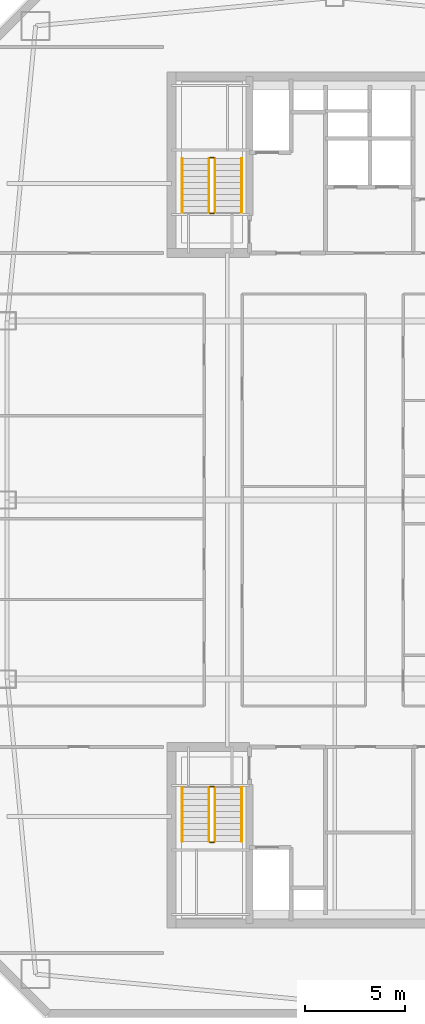
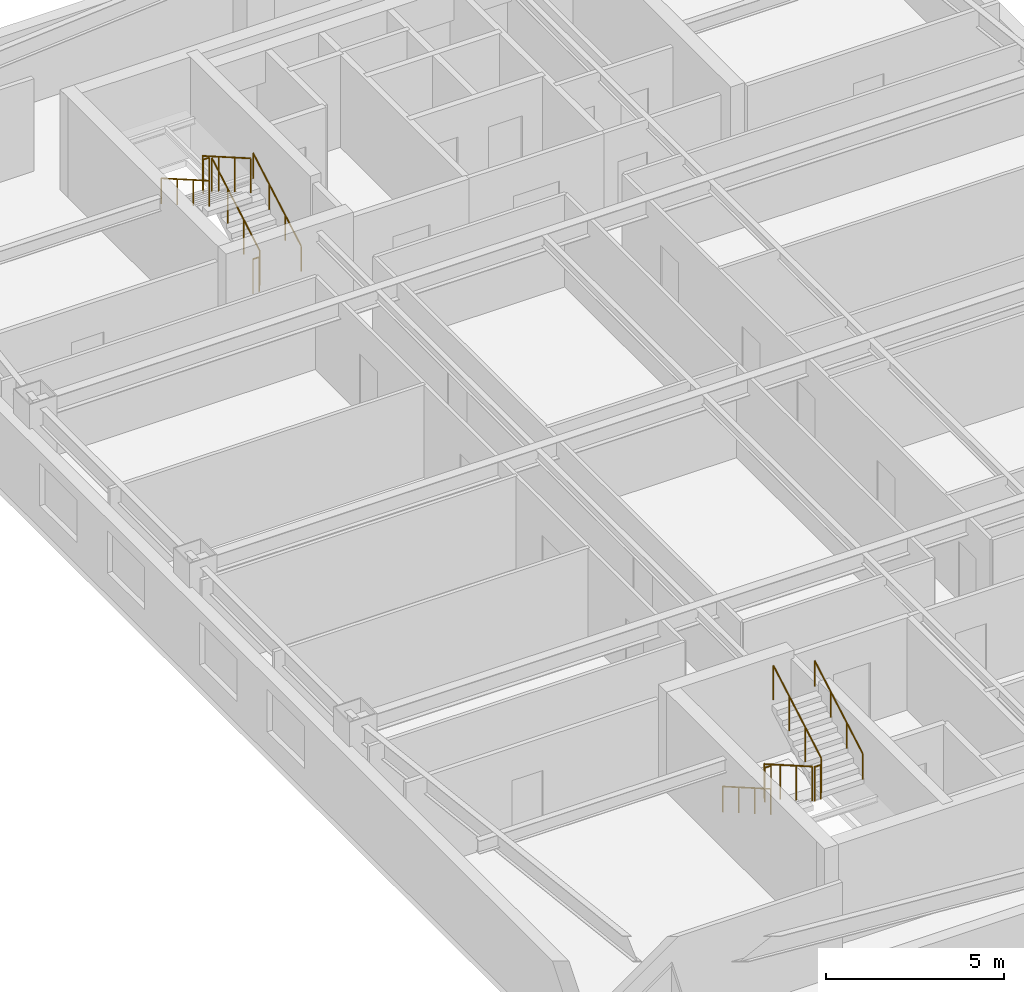
# One storey, part 12 of 13: 12 railings.
"""IFC4 building model written with IfcOpenShell, lengths in metres."""

import ifcopenshell
import ifcopenshell.guid

model = None  # the IFC model being written
_history = None  # IfcOwnerHistory: only IFC2X3 demands one
_inside = {}  # id of a spatial element -> (the spatial element, [elements in it])
_under = {}  # id of a project, library or spatial element -> (it, [spatial elements below it])
_declared = {}  # id of a project -> (the project, [libraries it declares])
_typed = {}  # id of a type object -> (the type object, [elements of that type])
_made_of = {}  # id of a material, layer set ... -> (it, [elements and type objects made of it])


def new_model(schema):
    """Start an empty IFC model of exactly this schema.

    Asked for "IFC4X3", IfcOpenShell would pick the latest addendum, in which some entities
    have other attributes; the version numbers below select the first issue.
    IFC2X3 requires an IfcOwnerHistory on every rooted entity: one is made here for all.
    """
    global model, _history
    if schema == "IFC4X3":
        model = ifcopenshell.file(schema_version=(4, 3, 0, 0))
    else:
        model = ifcopenshell.file(schema=schema)
    _inside.clear()
    _under.clear()
    _declared.clear()
    _typed.clear()
    _made_of.clear()
    _history = None
    if model.schema == "IFC2X3":
        org = make("IfcOrganization", Name="unknown")
        user = make(
            "IfcPersonAndOrganization",
            ThePerson=make("IfcPerson", FamilyName="unknown"),
            TheOrganization=org,
        )
        app = make(
            "IfcApplication",
            ApplicationDeveloper=org,
            Version="unknown",
            ApplicationFullName="unknown",
            ApplicationIdentifier="unknown",
        )
        _history = make(
            "IfcOwnerHistory",
            OwningUser=user,
            OwningApplication=app,
            ChangeAction="ADDED",
            CreationDate=0,
        )
    return model


def make(cls, **values):
    """One entity of the class cls with the attributes given. An attribute that is None is left unset."""
    return model.create_entity(
        cls, **{name: value for name, value in values.items() if value is not None}
    )


def rooted(cls, **values):
    """An entity with a GlobalId (a new one), such as an element, a storey or a relation."""
    return make(cls, GlobalId=ifcopenshell.guid.new(), OwnerHistory=_history, **values)


def si_unit(unit_type, name, prefix=None):
    """IfcSIUnit, for example si_unit("LENGTHUNIT", "METRE", prefix="MILLI")."""
    return make("IfcSIUnit", UnitType=unit_type, Prefix=prefix, Name=name)


def assignment(units):
    """IfcUnitAssignment: the units of a project."""
    return None if units is None else make("IfcUnitAssignment", Units=units)


def point(xyz):
    """IfcCartesianPoint."""
    return None if xyz is None else make("IfcCartesianPoint", Coordinates=xyz)


def direction(xyz):
    """IfcDirection."""
    return None if xyz is None else make("IfcDirection", DirectionRatios=xyz)


def frame(location, z_axis=None, x_axis=None):
    """IfcAxis2Placement3D, a coordinate frame: its origin and axes. An axis left out is left unset."""
    return make(
        "IfcAxis2Placement3D",
        Location=point(location),
        Axis=direction(z_axis),
        RefDirection=direction(x_axis),
    )


def frame_2d(location, x_axis=None):
    """IfcAxis2Placement2D, a coordinate frame in the plane: its origin and x axis."""
    return make(
        "IfcAxis2Placement2D", Location=point(location), RefDirection=direction(x_axis)
    )


def origin():
    """The frame at (0, 0, 0) with its axes left unset."""
    return frame((0.0, 0.0, 0.0))


def origin_2d():
    """The frame at (0, 0) in the plane with its x axis left unset."""
    return frame_2d((0.0, 0.0))


def place(relative_to, where):
    """IfcLocalPlacement: puts the frame where relative to a parent placement (None: the world)."""
    return make(
        "IfcLocalPlacement", PlacementRelTo=relative_to, RelativePlacement=where
    )


def context(
    kind, dimensions, precision=None, world=None, true_north=None, identifier=None
):
    """IfcGeometricRepresentationContext, for example the 3D "Model" context."""
    return make(
        "IfcGeometricRepresentationContext",
        ContextIdentifier=identifier,
        ContextType=kind,
        CoordinateSpaceDimension=dimensions,
        Precision=precision,
        WorldCoordinateSystem=world,
        TrueNorth=true_north,
    )


def subcontext(parent, identifier, kind, view, scale=None):
    """IfcGeometricRepresentationSubContext, for example "Body" below "Model"."""
    return make(
        "IfcGeometricRepresentationSubContext",
        ContextIdentifier=identifier,
        ContextType=kind,
        ParentContext=parent,
        TargetScale=scale,
        TargetView=view,
    )


def project(units=None, contexts=None):
    """IfcProject with its units and contexts."""
    return rooted(
        "IfcProject",
        Name="project",
        RepresentationContexts=contexts,
        UnitsInContext=assignment(units),
    )


def spatial(cls, under=None, at=None, **own):
    """A site, building, storey or space (cls), placed at a placement, below another one or the project."""
    s = rooted(cls, ObjectPlacement=at, **own)
    if under is not None:
        _under.setdefault(under.id(), (under, []))[1].append(s)
    return s


def profile(cls, at=None, kind="AREA", **sizes):
    """A parametric profile (cls). Its sizes go by their IFC names, for example OverallWidth=200.0."""
    return make(cls, ProfileType=kind, Position=at, **sizes)


def circle(**sizes):
    """IfcCircleProfileDef."""
    return profile("IfcCircleProfileDef", **sizes)


def extrude(swept, where, along, depth):
    """IfcExtrudedAreaSolid: the profile swept, set in the frame where, extruded along a direction by depth."""
    return make(
        "IfcExtrudedAreaSolid",
        SweptArea=swept,
        Position=where,
        ExtrudedDirection=direction(along),
        Depth=depth,
    )


def shape(context_of_items, identifier, shape_type, items):
    """IfcShapeRepresentation: the items that make up one representation, for example the "Body"."""
    return make(
        "IfcShapeRepresentation",
        ContextOfItems=context_of_items,
        RepresentationIdentifier=identifier,
        RepresentationType=shape_type,
        Items=items,
    )


def material(Name=None, Category=None):
    """IfcMaterial."""
    return make("IfcMaterial", Name=Name, Category=Category)


def made_of(thing, what):
    """Note that an element or type object is made of a material, layer set ...; save() writes the relation."""
    if what is not None:
        _made_of.setdefault(what.id(), (what, []))[1].append(thing)
    return thing


def type_object(cls, material=None, **own):
    """A type object (cls), such as IfcWallType, which elements share."""
    return made_of(rooted(cls, **own), material)


def element(
    cls,
    number,
    at=None,
    inside=None,
    cuts=None,
    type_object=None,
    material=None,
    context=None,
    identifier="Body",
    shape_type=None,
    held_by="IfcProductDefinitionShape",
    body=None,
    shapes=None,
    **own,
):
    """One element of the class cls, such as IfcWall. Its Tag is "e" and its number.

    at: its placement. inside: the storey or other place that contains it. cuts: it is an
    opening in that element (IfcRelVoidsElement). A single representation is given by context,
    identifier, shape_type and body (its items); several are given by shapes. held_by: the class
    of the entity that holds the representations. save() writes the other relations.
    """
    e = rooted(cls, Tag="e%d" % number, ObjectPlacement=at, **own)
    if body is not None:
        shapes = [shape(context, identifier, shape_type, body)]
    if shapes is not None:
        e.Representation = make(held_by, Representations=shapes)
    if inside is not None:
        _inside.setdefault(inside.id(), (inside, []))[1].append(e)
    if cuts is not None:
        rooted(
            "IfcRelVoidsElement", RelatingBuildingElement=cuts, RelatedOpeningElement=e
        )
    if type_object is not None:
        _typed.setdefault(type_object.id(), (type_object, []))[1].append(e)
    return made_of(e, material)


def aggregate(whole, parts):
    """IfcRelAggregates: a whole, such as a stair, and the parts it consists of."""
    return rooted("IfcRelAggregates", RelatingObject=whole, RelatedObjects=parts)


def save(model, path):
    """Write the relations noted so far, then the file.

    IfcRelAggregates (storeys below a building ...), IfcRelContainedInSpatialStructure (elements
    in a storey), IfcRelDefinesByType, IfcRelAssociatesMaterial and IfcRelDeclares: one each for
    every whole, place, type object, material and project.
    """
    for whole, parts in _under.values():
        aggregate(whole, parts)
    for where, things in _inside.values():
        rooted(
            "IfcRelContainedInSpatialStructure",
            RelatedElements=things,
            RelatingStructure=where,
        )
    for kind, things in _typed.values():
        rooted("IfcRelDefinesByType", RelatedObjects=things, RelatingType=kind)
    for what, things in _made_of.values():
        rooted("IfcRelAssociatesMaterial", RelatedObjects=things, RelatingMaterial=what)
    for by, libraries in _declared.values():
        rooted("IfcRelDeclares", RelatingContext=by, RelatedDefinitions=libraries)
    model.write(path)


model = new_model("IFC4")

# Units and contexts
model_context = context("Model", 3, precision=1e-05, world=origin(), true_north=direction((0.0, 1.0)))
body_context = subcontext(model_context, "Body", "Model", "MODEL_VIEW")
ifc_project = project(units=[si_unit("LENGTHUNIT", "METRE"), si_unit("AREAUNIT", "SQUARE_METRE"), si_unit("VOLUMEUNIT", "CUBIC_METRE"), si_unit("PLANEANGLEUNIT", "RADIAN"), si_unit("MASSUNIT", "GRAM", prefix="KILO")], contexts=[model_context])

# Site, building, storey
site_placement = place(None, origin())
site = spatial("IfcSite", under=ifc_project, at=site_placement, CompositionType="ELEMENT")
building_placement = place(site_placement, origin())
building = spatial("IfcBuilding", under=site, at=building_placement, Name="Qiaolan Cultural Towers", CompositionType="ELEMENT")
storey_placement = place(building_placement, frame((0.0, 0.0, 192.050048828125)))
storey = spatial("IfcBuildingStorey", under=building, at=storey_placement, Name="L51", CompositionType="ELEMENT", Elevation=192.050048828125)

# Railings
ifc_material_1 = material(Name="Galvanized Painted Steel Stair Guardrail", Category="steel")
railing_type_1 = type_object("IfcRailingType", Name="RL-STAIR-GRD", PredefinedType="GUARDRAIL", material=ifc_material_1)
railing_1_placement = place(storey_placement, frame((23.68994140625, 19.550048828125, 0.17236328125)))
element("IfcRailing", 1, at=railing_1_placement, inside=storey, type_object=railing_type_1, Name="L51 ST-W1 stair guard 1", PredefinedType="GUARDRAIL", context=body_context, shape_type="SweptSolid", body=[
    extrude(circle(Radius=0.02392578125, at=origin_2d()), frame((0.0, 0.0, 1.17578125), z_axis=(0.0, -0.866903762492, 0.498475542607), x_axis=(1.0, 0.0, 0.0)), (0.0, 0.0, 1.0), 3.114501953125),
    extrude(circle(Radius=0.02099609375, at=origin_2d()), origin(), (0.0, 0.0, 1.0), 1.15185546875),
    extrude(circle(Radius=0.02099609375, at=origin_2d()), frame((0.0, -0.89990234375, 0.517578125)), (0.0, 0.0, 1.0), 1.15185546875),
    extrude(circle(Radius=0.02099609375, at=origin_2d()), frame((0.0, -1.800048828125, 1.034912109375)), (0.0, 0.0, 1.0), 1.15185546875),
    extrude(circle(Radius=0.02099609375, at=origin_2d()), frame((0.0, -2.699951171875, 1.552490234375)), (0.0, 0.0, 1.0), 1.15185546875),
])
railing_2_placement = place(storey_placement, frame((23.739990234375, 16.800048828125, 1.724853515625)))
element("IfcRailing", 2, at=railing_2_placement, inside=storey, type_object=railing_type_1, Name="L51 ST-W1 stair guard 2", PredefinedType="GUARDRAIL", context=body_context, shape_type="SweptSolid", body=[
    extrude(circle(Radius=0.02392578125, at=origin_2d()), frame((0.0, 0.0, 1.17578125), z_axis=(1.0, 0.0, 0.0), x_axis=(0.0, 1.0, 0.0)), (0.0, 0.0, 1.0), 0.199951171875),
    extrude(circle(Radius=0.02099609375, at=origin_2d()), origin(), (0.0, 0.0, 1.0), 1.15185546875),
    extrude(circle(Radius=0.02099609375, at=origin_2d()), frame((0.199951171875, 0.0, 0.0)), (0.0, 0.0, 1.0), 1.15185546875),
])
railing_3_placement = place(storey_placement, frame((23.989990234375, 16.85009765625, 1.8974609375)))
element("IfcRailing", 3, at=railing_3_placement, inside=storey, type_object=railing_type_1, Name="L51 ST-W1 stair guard 3", PredefinedType="GUARDRAIL", context=body_context, shape_type="SweptSolid", body=[
    extrude(circle(Radius=0.02392578125, at=origin_2d()), frame((0.0, 0.0, 1.17578125), z_axis=(0.0, 0.866903762492, 0.498475542607), x_axis=(-1.0, 0.0, 0.0)), (0.0, 0.0, 1.0), 3.114501953125),
    extrude(circle(Radius=0.02099609375, at=origin_2d()), origin(), (0.0, 0.0, 1.0), 1.15185546875),
    extrude(circle(Radius=0.02099609375, at=origin_2d()), frame((0.0, 0.89990234375, 0.517578125)), (0.0, 0.0, 1.0), 1.15185546875),
    extrude(circle(Radius=0.02099609375, at=origin_2d()), frame((0.0, 1.800048828125, 1.034912109375)), (0.0, 0.0, 1.0), 1.15185546875),
    extrude(circle(Radius=0.02099609375, at=origin_2d()), frame((0.0, 2.699951171875, 1.552490234375)), (0.0, 0.0, 1.0), 1.15185546875),
])
railing_4_placement = place(storey_placement, frame((23.739990234375, 19.60009765625, 0.0)))
element("IfcRailing", 4, at=railing_4_placement, inside=storey, type_object=railing_type_1, Name="L51 ST-W1 stair guard 4", PredefinedType="GUARDRAIL", context=body_context, shape_type="SweptSolid", body=[
    extrude(circle(Radius=0.02392578125, at=origin_2d()), frame((0.0, 0.0, 1.17578125), z_axis=(1.0, 0.0, 0.0), x_axis=(0.0, 1.0, 0.0)), (0.0, 0.0, 1.0), 0.199951171875),
    extrude(circle(Radius=0.02099609375, at=origin_2d()), origin(), (0.0, 0.0, 1.0), 1.15185546875),
    extrude(circle(Radius=0.02099609375, at=origin_2d()), frame((0.199951171875, 0.0, 0.0)), (0.0, 0.0, 1.0), 1.15185546875),
])
railing_5_placement = place(storey_placement, frame((23.989990234375, 48.449951171875, 0.17236328125)))
element("IfcRailing", 5, at=railing_5_placement, inside=storey, type_object=railing_type_1, Name="L51 ST-W2 stair guard 1", PredefinedType="GUARDRAIL", context=body_context, shape_type="SweptSolid", body=[
    extrude(circle(Radius=0.02392578125, at=origin_2d()), frame((0.0, 0.0, 1.17578125), z_axis=(0.0, 0.866903762492, 0.498475542607), x_axis=(-1.0, 0.0, 0.0)), (0.0, 0.0, 1.0), 3.114501953125),
    extrude(circle(Radius=0.02099609375, at=origin_2d()), origin(), (0.0, 0.0, 1.0), 1.15185546875),
    extrude(circle(Radius=0.02099609375, at=origin_2d()), frame((0.0, 0.89990234375, 0.517578125)), (0.0, 0.0, 1.0), 1.15185546875),
    extrude(circle(Radius=0.02099609375, at=origin_2d()), frame((0.0, 1.800048828125, 1.034912109375)), (0.0, 0.0, 1.0), 1.15185546875),
    extrude(circle(Radius=0.02099609375, at=origin_2d()), frame((0.0, 2.699951171875, 1.552490234375)), (0.0, 0.0, 1.0), 1.15185546875),
])
railing_6_placement = place(storey_placement, frame((23.93994140625, 51.199951171875, 1.724853515625)))
element("IfcRailing", 6, at=railing_6_placement, inside=storey, type_object=railing_type_1, Name="L51 ST-W2 stair guard 2", PredefinedType="GUARDRAIL", context=body_context, shape_type="SweptSolid", body=[
    extrude(circle(Radius=0.02392578125, at=origin_2d()), frame((0.0, 0.0, 1.17578125), z_axis=(-1.0, 0.0, 0.0), x_axis=(0.0, -1.0, 0.0)), (0.0, 0.0, 1.0), 0.199951171875),
    extrude(circle(Radius=0.02099609375, at=origin_2d()), origin(), (0.0, 0.0, 1.0), 1.15185546875),
    extrude(circle(Radius=0.02099609375, at=origin_2d()), frame((-0.199951171875, 0.0, 0.0)), (0.0, 0.0, 1.0), 1.15185546875),
])
railing_7_placement = place(storey_placement, frame((23.68994140625, 51.14990234375, 1.8974609375)))
element("IfcRailing", 7, at=railing_7_placement, inside=storey, type_object=railing_type_1, Name="L51 ST-W2 stair guard 3", PredefinedType="GUARDRAIL", context=body_context, shape_type="SweptSolid", body=[
    extrude(circle(Radius=0.02392578125, at=origin_2d()), frame((0.0, 0.0, 1.17578125), z_axis=(0.0, -0.866903762492, 0.498475542607), x_axis=(1.0, 0.0, 0.0)), (0.0, 0.0, 1.0), 3.114501953125),
    extrude(circle(Radius=0.02099609375, at=origin_2d()), origin(), (0.0, 0.0, 1.0), 1.15185546875),
    extrude(circle(Radius=0.02099609375, at=origin_2d()), frame((0.0, -0.89990234375, 0.517578125)), (0.0, 0.0, 1.0), 1.15185546875),
    extrude(circle(Radius=0.02099609375, at=origin_2d()), frame((0.0, -1.800048828125, 1.034912109375)), (0.0, 0.0, 1.0), 1.15185546875),
    extrude(circle(Radius=0.02099609375, at=origin_2d()), frame((0.0, -2.699951171875, 1.552490234375)), (0.0, 0.0, 1.0), 1.15185546875),
])
railing_8_placement = place(storey_placement, frame((23.93994140625, 48.39990234375, 0.0)))
element("IfcRailing", 8, at=railing_8_placement, inside=storey, type_object=railing_type_1, Name="L51 ST-W2 stair guard 4", PredefinedType="GUARDRAIL", context=body_context, shape_type="SweptSolid", body=[
    extrude(circle(Radius=0.02392578125, at=origin_2d()), frame((0.0, 0.0, 1.17578125), z_axis=(-1.0, 0.0, 0.0), x_axis=(0.0, -1.0, 0.0)), (0.0, 0.0, 1.0), 0.199951171875),
    extrude(circle(Radius=0.02099609375, at=origin_2d()), origin(), (0.0, 0.0, 1.0), 1.15185546875),
    extrude(circle(Radius=0.02099609375, at=origin_2d()), frame((-0.199951171875, 0.0, 0.0)), (0.0, 0.0, 1.0), 1.15185546875),
])
ifc_material_2 = material(Name="Stainless Steel S30408 Tubular Handrail", Category="steel")
railing_type_2 = type_object("IfcRailingType", Name="RL-STAIR-HR", PredefinedType="HANDRAIL", material=ifc_material_2)
railing_9_placement = place(storey_placement, frame((22.35009765625, 19.550048828125, 0.17236328125)))
element("IfcRailing", 9, at=railing_9_placement, inside=storey, type_object=railing_type_2, Name="L51 ST-W1 stair handrail 1", PredefinedType="HANDRAIL", context=body_context, shape_type="SweptSolid", body=[
    extrude(circle(Radius=0.02392578125, at=origin_2d()), frame((0.0, 0.0, 0.8759765625), z_axis=(0.0, -0.866903762492, 0.498475542607), x_axis=(1.0, 0.0, 0.0)), (0.0, 0.0, 1.0), 3.114501953125),
    extrude(circle(Radius=0.02099609375, at=origin_2d()), origin(), (0.0, 0.0, 1.0), 0.851806640625),
    extrude(circle(Radius=0.02099609375, at=origin_2d()), frame((0.0, -0.89990234375, 0.517578125)), (0.0, 0.0, 1.0), 0.851806640625),
    extrude(circle(Radius=0.02099609375, at=origin_2d()), frame((0.0, -1.800048828125, 1.034912109375)), (0.0, 0.0, 1.0), 0.851806640625),
    extrude(circle(Radius=0.02099609375, at=origin_2d()), frame((0.0, -2.699951171875, 1.552490234375)), (0.0, 0.0, 1.0), 0.851806640625),
])
for number, where, name in (
    (10, (25.330078125, 16.85009765625, 1.8974609375), "L51 ST-W1 stair handrail 2"),
    (11, (25.330078125, 48.449951171875, 0.17236328125), "L51 ST-W2 stair handrail 1"),
):
    element("IfcRailing", number, at=place(storey_placement, frame(where)), inside=storey, type_object=railing_type_2, Name=name, PredefinedType="HANDRAIL", context=body_context, shape_type="SweptSolid", body=[
        extrude(circle(Radius=0.02392578125, at=origin_2d()), frame((0.0, 0.0, 0.8759765625), z_axis=(0.0, 0.866903762492, 0.498475542607), x_axis=(-1.0, 0.0, 0.0)), (0.0, 0.0, 1.0), 3.114501953125),
        extrude(circle(Radius=0.02099609375, at=origin_2d()), origin(), (0.0, 0.0, 1.0), 0.851806640625),
        extrude(circle(Radius=0.02099609375, at=origin_2d()), frame((0.0, 0.89990234375, 0.517578125)), (0.0, 0.0, 1.0), 0.851806640625),
        extrude(circle(Radius=0.02099609375, at=origin_2d()), frame((0.0, 1.800048828125, 1.034912109375)), (0.0, 0.0, 1.0), 0.851806640625),
        extrude(circle(Radius=0.02099609375, at=origin_2d()), frame((0.0, 2.699951171875, 1.552490234375)), (0.0, 0.0, 1.0), 0.851806640625),
    ])
railing_10_placement = place(storey_placement, frame((22.35009765625, 51.14990234375, 1.8974609375)))
element("IfcRailing", 12, at=railing_10_placement, inside=storey, type_object=railing_type_2, Name="L51 ST-W2 stair handrail 2", PredefinedType="HANDRAIL", context=body_context, shape_type="SweptSolid", body=[
    extrude(circle(Radius=0.02392578125, at=origin_2d()), frame((0.0, 0.0, 0.8759765625), z_axis=(0.0, -0.866903762492, 0.498475542607), x_axis=(1.0, 0.0, 0.0)), (0.0, 0.0, 1.0), 3.114501953125),
    extrude(circle(Radius=0.02099609375, at=origin_2d()), origin(), (0.0, 0.0, 1.0), 0.851806640625),
    extrude(circle(Radius=0.02099609375, at=origin_2d()), frame((0.0, -0.89990234375, 0.517578125)), (0.0, 0.0, 1.0), 0.851806640625),
    extrude(circle(Radius=0.02099609375, at=origin_2d()), frame((0.0, -1.800048828125, 1.034912109375)), (0.0, 0.0, 1.0), 0.851806640625),
    extrude(circle(Radius=0.02099609375, at=origin_2d()), frame((0.0, -2.699951171875, 1.552490234375)), (0.0, 0.0, 1.0), 0.851806640625),
])

save(model, "model.ifc")
